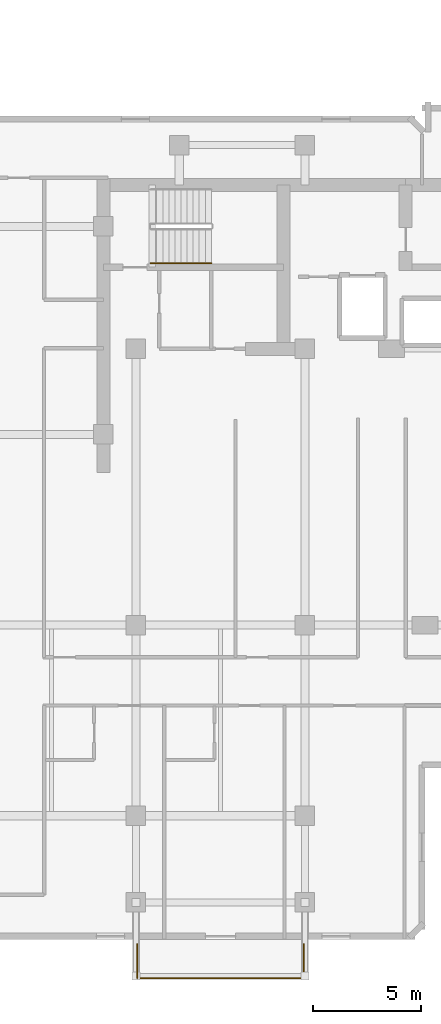
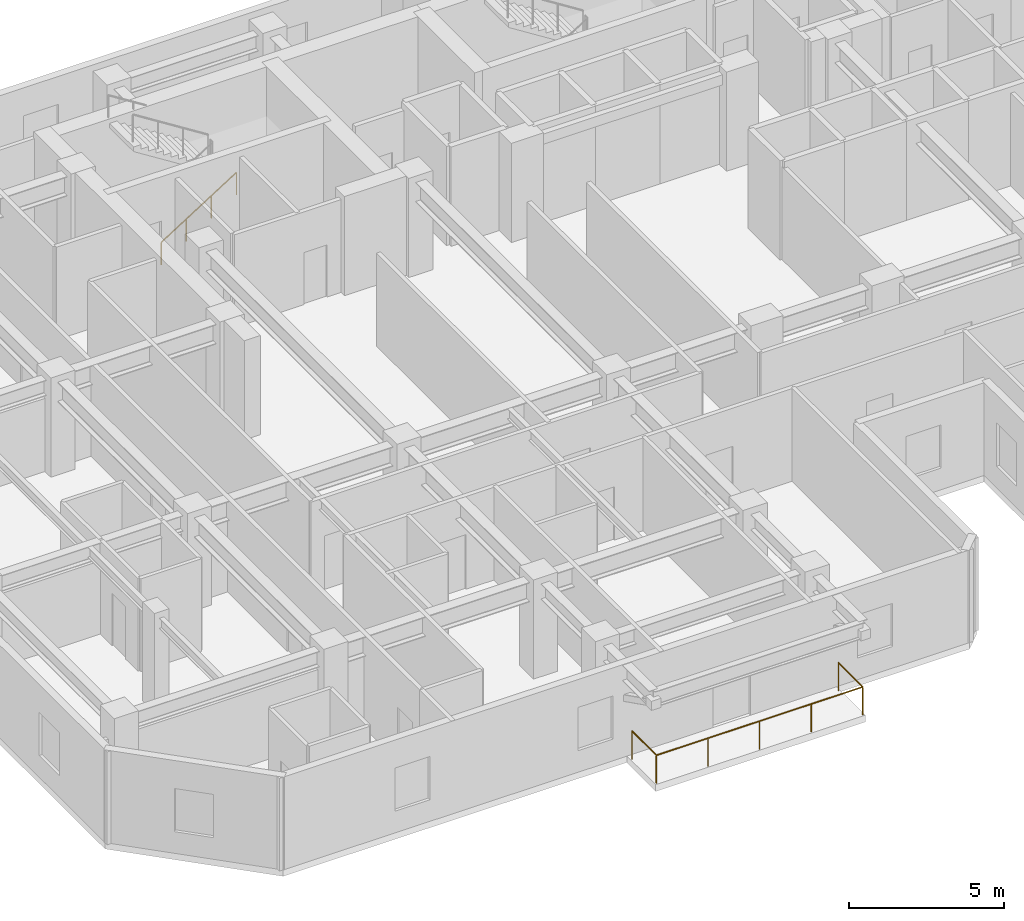
# One storey, part 10 of 11: 3 railings.
"""IFC4 building model written with IfcOpenShell, lengths in metres."""

from ifc_helpers import new_model, si_unit, direction, frame, origin, origin_2d, place, context, subcontext, project, spatial, circle, extrude, material, type_object, element, save


model = new_model("IFC4")

# Units and contexts
model_context = context("Model", 3, precision=1e-05, world=origin(), true_north=direction((0.0, 1.0)))
body_context = subcontext(model_context, "Body", "Model", "MODEL_VIEW")
ifc_project = project(units=[si_unit("LENGTHUNIT", "METRE"), si_unit("AREAUNIT", "SQUARE_METRE"), si_unit("VOLUMEUNIT", "CUBIC_METRE"), si_unit("PLANEANGLEUNIT", "RADIAN"), si_unit("MASSUNIT", "GRAM", prefix="KILO")], contexts=[model_context])

# Site, building, storey
site_placement = place(None, origin())
site = spatial("IfcSite", under=ifc_project, at=site_placement, CompositionType="ELEMENT")
building_placement = place(site_placement, origin())
building = spatial("IfcBuilding", under=site, at=building_placement, Name="Kestravale Grand Hotel", CompositionType="ELEMENT")
storey_placement = place(building_placement, frame((0.0, 0.0, 200.699951171875)))
storey = spatial("IfcBuildingStorey", under=building, at=storey_placement, Name="L50", CompositionType="ELEMENT", Elevation=200.699951171875)

# Railings
ifc_material_1 = material(Name="Champagne-bronze stainless steel and laminated glass guard", Category="steel")
railing_type_1 = type_object("IfcRailingType", Name="RL-EXT-1100", PredefinedType="GUARDRAIL", material=ifc_material_1)
railing_1_placement = place(storey_placement, frame((23.4599609375, 3.7099609375, 0.0)))
element("IfcRailing", 1, at=railing_1_placement, inside=storey, type_object=railing_type_1, Name="L50 outdoor terrace guard 1", PredefinedType="GUARDRAIL", context=body_context, shape_type="SweptSolid", body=[
    extrude(circle(Radius=0.02392578125, at=origin_2d()), frame((0.0, 0.0, 1.09619140625), z_axis=(0.0, 1.0, 0.0), x_axis=(-1.0, 0.0, 0.0)), (0.0, 0.0, 1.0), 1.570068359375),
    extrude(circle(Radius=0.02099609375, at=origin_2d()), origin(), (0.0, 0.0, 1.0), 1.072021484375),
    extrude(circle(Radius=0.02099609375, at=origin_2d()), frame((0.0, 1.570068359375, 0.0)), (0.0, 0.0, 1.0), 1.072021484375),
])
railing_2_placement = place(storey_placement, frame((31.139892578125, 5.280029296875, 0.0)))
element("IfcRailing", 2, at=railing_2_placement, inside=storey, type_object=railing_type_1, Name="L50 outdoor terrace guard 2", PredefinedType="GUARDRAIL", context=body_context, shape_type="SweptSolid", body=[
    extrude(circle(Radius=0.02392578125, at=origin_2d()), frame((0.0, 0.0, 1.09619140625), z_axis=(0.0, -1.0, 0.0), x_axis=(1.0, 0.0, 0.0)), (0.0, 0.0, 1.0), 1.570068359375),
    extrude(circle(Radius=0.02392578125, at=origin_2d()), frame((0.0, -1.570068359375, 1.09619140625), z_axis=(-1.0, 0.0, 0.0), x_axis=(0.0, -1.0, 0.0)), (0.0, 0.0, 1.0), 7.679931640625),
    extrude(circle(Radius=0.02099609375, at=origin_2d()), origin(), (0.0, 0.0, 1.0), 1.072021484375),
    extrude(circle(Radius=0.02099609375, at=origin_2d()), frame((0.0, -1.570068359375, 0.0)), (0.0, 0.0, 1.0), 1.072021484375),
    extrude(circle(Radius=0.02099609375, at=origin_2d()), frame((-1.919921875, -1.570068359375, 0.0)), (0.0, 0.0, 1.0), 1.072021484375),
    extrude(circle(Radius=0.02099609375, at=origin_2d()), frame((-3.83984375, -1.570068359375, 0.0)), (0.0, 0.0, 1.0), 1.072021484375),
    extrude(circle(Radius=0.02099609375, at=origin_2d()), frame((-5.760009765625, -1.570068359375, 0.0)), (0.0, 0.0, 1.0), 1.072021484375),
    extrude(circle(Radius=0.02099609375, at=origin_2d()), frame((-7.679931640625, -1.570068359375, 0.0)), (0.0, 0.0, 1.0), 1.072021484375),
])
ifc_material_2 = material(Name="Brushed stainless steel wall handrail", Category="steel")
railing_type_2 = type_object("IfcRailingType", Name="RL-ST-HND900", PredefinedType="HANDRAIL", material=ifc_material_2)
railing_3_placement = place(storey_placement, frame((24.080078125, 36.699951171875, 0.17724609375)))
element("IfcRailing", 3, at=railing_3_placement, inside=storey, type_object=railing_type_2, Name="L50 ST-1 stair handrail 1", PredefinedType="HANDRAIL", context=body_context, shape_type="SweptSolid", body=[
    extrude(circle(Radius=0.02392578125, at=origin_2d()), frame((0.0, 0.0, 0.8759765625), z_axis=(0.844887892834, 0.0, 0.53494340686), x_axis=(0.0, 1.0, 0.0)), (0.0, 0.0, 1.0), 3.313720703125),
    extrude(circle(Radius=0.02099609375, at=origin_2d()), origin(), (0.0, 0.0, 1.0), 0.851806640625),
    extrude(circle(Radius=0.02099609375, at=origin_2d()), frame((0.933349609375, 0.0, 0.5908203125)), (0.0, 0.0, 1.0), 0.851806640625),
    extrude(circle(Radius=0.02099609375, at=origin_2d()), frame((1.866455078125, 0.0, 1.181884765625)), (0.0, 0.0, 1.0), 0.851806640625),
    extrude(circle(Radius=0.02099609375, at=origin_2d()), frame((2.7998046875, 0.0, 1.772705078125)), (0.0, 0.0, 1.0), 0.851806640625),
])

save(model, "model.ifc")
